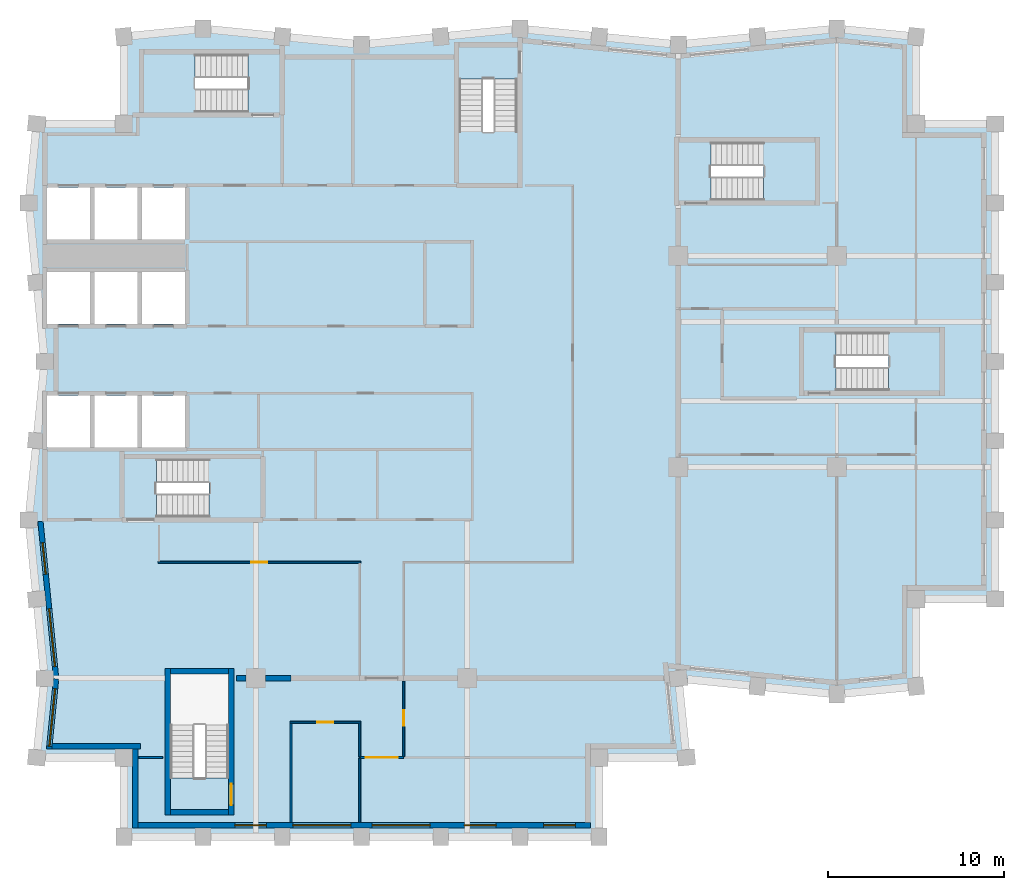
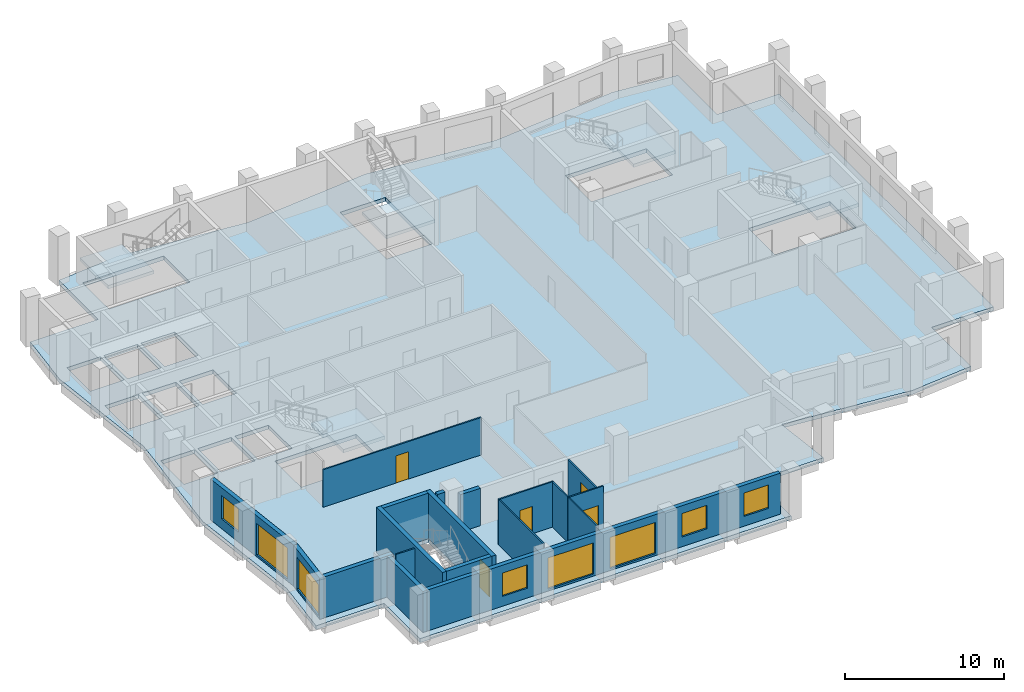
# One storey, part 2 of 7: 19 walls, 8 windows, 6 slabs, 5 doors, 13 openings, 5 elements without a shape of their own.
"""IFC4 building model written with IfcOpenShell, lengths in metres."""

from ifc_helpers import new_model, si_unit, direction, frame, frame_2d, origin, place, context, subcontext, project, spatial, polyline, rectangle, outline, extrude, material, layer, layer_set, type_object, element, fill, aggregate, save


model = new_model("IFC4")

# Units and contexts
model_context = context("Model", 3, precision=1e-05, world=origin(), true_north=direction((0.0, 1.0)))
body_context = subcontext(model_context, "Body", "Model", "MODEL_VIEW")
ifc_project = project(units=[si_unit("LENGTHUNIT", "METRE"), si_unit("AREAUNIT", "SQUARE_METRE"), si_unit("VOLUMEUNIT", "CUBIC_METRE"), si_unit("PLANEANGLEUNIT", "RADIAN"), si_unit("MASSUNIT", "GRAM", prefix="KILO")], contexts=[model_context])

# Site, building, storey
site_placement = place(None, origin())
site = spatial("IfcSite", under=ifc_project, at=site_placement, CompositionType="ELEMENT")
building_placement = place(site_placement, origin())
building = spatial("IfcBuilding", under=site, at=building_placement, Name="Brondeck Convention Tower", CompositionType="ELEMENT")
storey_placement = place(building_placement, frame((0.0, 0.0, 202.60009765625)))
storey = spatial("IfcBuildingStorey", under=building, at=storey_placement, Name="L49", CompositionType="ELEMENT", Elevation=202.60009765625)

# Slab
ifc_material_1 = material(Name="Concrete C35/45", Category="concrete")
ifc_layer_1 = layer(ifc_material_1, 0.300048828125)
ifc_layer_set_1 = layer_set([ifc_layer_1], Name="Composite floor slab 300")
slab_type_1 = type_object("IfcSlabType", Name="Composite floor slab 300", PredefinedType="FLOOR", material=ifc_layer_set_1)
slab_1_placement = place(storey_placement, frame((0.0, 0.0, -0.300048828125)))
element("IfcSlab", 1, at=slab_1_placement, inside=storey, type_object=slab_type_1, Name="STR-SL-L49", PredefinedType="FLOOR", context=body_context, shape_type="SweptSolid", body=[
    extrude(outline(polyline([(4.5, 22.5), (-0.449951171875, 22.5), (0.0, 27.0), (-0.89990234375, 36.0), (0.0, 45.0), (-0.89990234375, 54.0), (-0.449951171875, 58.5), (4.5, 58.5), (4.5, 63.449951171875), (9.0, 63.89990234375), (18.0, 63.0), (27.0, 63.89990234375), (36.0, 63.0), (45.0, 63.89990234375), (49.5, 63.449951171875), (49.5, 58.5), (54.0, 58.5), (54.0, 31.5), (49.5, 31.5), (49.5, 26.550048828125), (45.0, 26.10009765625), (36.0, 27.0), (36.449951171875, 22.5), (31.5, 22.5), (31.5, 18.0), (4.5, 18.0), (4.5, 22.5)]), holes=[polyline([(2.574951171875, 43.074951171875), (0.125, 43.074951171875), (0.125, 40.125), (2.574951171875, 40.125), (2.574951171875, 43.074951171875)]), polyline([(5.27490234375, 40.125), (5.27490234375, 43.074951171875), (2.824951171875, 43.074951171875), (2.824951171875, 40.125), (5.27490234375, 40.125)]), polyline([(7.97509765625, 40.125), (7.97509765625, 43.074951171875), (5.52490234375, 43.074951171875), (5.52490234375, 40.125), (7.97509765625, 40.125)]), polyline([(2.574951171875, 47.125), (2.574951171875, 50.074951171875), (0.125, 50.074951171875), (0.125, 47.125), (2.574951171875, 47.125)]), polyline([(5.27490234375, 47.125), (5.27490234375, 50.074951171875), (2.824951171875, 50.074951171875), (2.824951171875, 47.125), (5.27490234375, 47.125)]), polyline([(7.97509765625, 47.125), (7.97509765625, 50.074951171875), (5.52490234375, 50.074951171875), (5.52490234375, 47.125), (7.97509765625, 47.125)]), polyline([(2.574951171875, 51.925048828125), (2.574951171875, 54.875), (0.125, 54.875), (0.125, 51.925048828125), (2.574951171875, 51.925048828125)]), polyline([(5.27490234375, 51.925048828125), (5.27490234375, 54.875), (2.824951171875, 54.875), (2.824951171875, 51.925048828125), (5.27490234375, 51.925048828125)]), polyline([(10.447998046875, 27.248046875), (7.152099609375, 27.248046875), (7.152099609375, 21.35205078125), (10.447998046875, 21.35205078125), (10.447998046875, 27.248046875)]), polyline([(12.248046875, 36.152099609375), (12.248046875, 39.447998046875), (6.35205078125, 39.447998046875), (6.35205078125, 36.152099609375), (12.248046875, 36.152099609375)]), polyline([(50.847900390625, 43.35205078125), (50.847900390625, 46.64794921875), (44.951904296875, 46.64794921875), (44.951904296875, 43.35205078125), (50.847900390625, 43.35205078125)]), polyline([(7.97509765625, 51.925048828125), (7.97509765625, 54.875), (5.52490234375, 54.875), (5.52490234375, 51.925048828125), (7.97509765625, 51.925048828125)]), polyline([(43.748046875, 54.152099609375), (43.748046875, 57.447998046875), (37.85205078125, 57.447998046875), (37.85205078125, 54.152099609375), (43.748046875, 54.152099609375)]), polyline([(23.552001953125, 55.152099609375), (26.847900390625, 55.152099609375), (26.847900390625, 61.048095703125), (23.552001953125, 61.048095703125), (23.552001953125, 55.152099609375)]), polyline([(5.652099609375, 62.447998046875), (5.652099609375, 59.152099609375), (11.548095703125, 59.152099609375), (11.548095703125, 62.447998046875), (5.652099609375, 62.447998046875)])]), origin(), (0.0, 0.0, 1.0), 0.300048828125),
])

# Stair, slab
ifc_material_2 = material(Name="Precast concrete C50/60", Category="concrete")
stair_type = type_object("IfcStairType", Name="Core stair 22 risers 172.73 mm riser 300 mm going 1350 wide", PredefinedType="HALF_TURN_STAIR", material=ifc_material_2)
stair_1_placement = place(storey_placement, origin())
stair_1 = element("IfcStair", 2, at=stair_1_placement, inside=storey, type_object=stair_type, Name="ST-1 L49 stair", PredefinedType="HALF_TURN_STAIR")
ifc_layer_2 = layer(ifc_material_2, 0.25)
ifc_layer_set_2 = layer_set([ifc_layer_2], Name="Core stair landing 250 Precast concrete C50/60")
slab_type_2 = type_object("IfcSlabType", Name="Core stair landing 250 Precast concrete C50/60", PredefinedType="LANDING", material=ifc_layer_set_2)
slab_2_placement = place(storey_placement, frame((0.0, 0.0, 1.64990234375)))
slab_2 = element("IfcSlab", 3, at=slab_2_placement, type_object=slab_type_2, Name="ST-1 landing 1", PredefinedType="LANDING", context=body_context, shape_type="SweptSolid", body=[
    extrude(outline(polyline([(9.347900390625, 37.5), (9.35009765625, 37.5), (9.35009765625, 38.10009765625), (9.050048828125, 38.10009765625), (9.050048828125, 39.570068359375), (12.3701171875, 39.570068359375), (12.3701171875, 36.030029296875), (9.347900390625, 36.030029296875), (9.347900390625, 37.5)])), origin(), (0.0, 0.0, 1.0), 0.25),
])
aggregate(stair_1, [slab_2])

stair_2_placement = place(storey_placement, origin())
stair_2 = element("IfcStair", 4, at=stair_2_placement, inside=storey, type_object=stair_type, Name="ST-2 L49 stair", PredefinedType="HALF_TURN_STAIR")
slab_3_placement = place(storey_placement, frame((0.0, 0.0, 1.64990234375)))
slab_3 = element("IfcSlab", 5, at=slab_3_placement, type_object=slab_type_2, Name="ST-2 landing 1", PredefinedType="LANDING", context=body_context, shape_type="SweptSolid", body=[
    extrude(outline(polyline([(23.429931640625, 58.052001953125), (24.89990234375, 58.052001953125), (24.89990234375, 58.050048828125), (25.5, 58.050048828125), (25.5, 58.35009765625), (26.969970703125, 58.35009765625), (26.969970703125, 55.030029296875), (23.429931640625, 55.030029296875), (23.429931640625, 58.052001953125)])), origin(), (0.0, 0.0, 1.0), 0.25),
])
aggregate(stair_2, [slab_3])

stair_3_placement = place(storey_placement, origin())
stair_3 = element("IfcStair", 6, at=stair_3_placement, inside=storey, type_object=stair_type, Name="ST-3 L49 stair", PredefinedType="HALF_TURN_STAIR")
slab_4_placement = place(storey_placement, frame((0.0, 0.0, 1.64990234375)))
slab_4 = element("IfcSlab", 7, at=slab_4_placement, type_object=slab_type_2, Name="ST-3 landing 1", PredefinedType="LANDING", context=body_context, shape_type="SweptSolid", body=[
    extrude(outline(polyline([(8.85009765625, 60.5), (8.85009765625, 59.030029296875), (5.530029296875, 59.030029296875), (5.530029296875, 62.570068359375), (8.552001953125, 62.570068359375), (8.552001953125, 61.10009765625), (8.550048828125, 61.10009765625), (8.550048828125, 60.5), (8.85009765625, 60.5)])), origin(), (0.0, 0.0, 1.0), 0.25),
])
aggregate(stair_3, [slab_4])

stair_4_placement = place(storey_placement, origin())
stair_4 = element("IfcStair", 8, at=stair_4_placement, inside=storey, type_object=stair_type, Name="ST-AE L49 stair", PredefinedType="HALF_TURN_STAIR")
slab_5_placement = place(storey_placement, frame((0.0, 0.0, 1.64990234375)))
slab_5 = element("IfcSlab", 9, at=slab_5_placement, type_object=slab_type_2, Name="ST-AE landing 1", PredefinedType="LANDING", context=body_context, shape_type="SweptSolid", body=[
    extrude(outline(polyline([(40.847900390625, 55.5), (40.85009765625, 55.5), (40.85009765625, 56.10009765625), (40.550048828125, 56.10009765625), (40.550048828125, 57.570068359375), (43.8701171875, 57.570068359375), (43.8701171875, 54.030029296875), (40.847900390625, 54.030029296875), (40.847900390625, 55.5)])), origin(), (0.0, 0.0, 1.0), 0.25),
])
aggregate(stair_4, [slab_5])

stair_5_placement = place(storey_placement, origin())
stair_5 = element("IfcStair", 10, at=stair_5_placement, inside=storey, type_object=stair_type, Name="ST-AF L49 stair", PredefinedType="HALF_TURN_STAIR")
slab_6_placement = place(storey_placement, frame((0.0, 0.0, 1.64990234375)))
slab_6 = element("IfcSlab", 11, at=slab_6_placement, type_object=slab_type_2, Name="ST-AF landing 1", PredefinedType="LANDING", context=body_context, shape_type="SweptSolid", body=[
    extrude(outline(polyline([(47.947998046875, 44.699951171875), (47.949951171875, 44.699951171875), (47.949951171875, 45.300048828125), (47.64990234375, 45.300048828125), (47.64990234375, 46.77001953125), (50.969970703125, 46.77001953125), (50.969970703125, 43.22998046875), (47.947998046875, 43.22998046875), (47.947998046875, 44.699951171875)])), origin(), (0.0, 0.0, 1.0), 0.25),
])
aggregate(stair_5, [slab_6])

# Walls
ifc_material_3 = material(Name="Concrete compartment wall C30/37", Category="concrete")
ifc_layer_3 = layer(ifc_material_3, 0.300048828125)
ifc_layer_set_3 = layer_set([ifc_layer_3], Name="Compartment wall 300")
wall_type_1 = type_object("IfcWallType", Name="Compartment wall 300", PredefinedType="PARTITIONING", material=ifc_layer_set_3)
wall_1_placement = place(storey_placement, frame((10.89990234375, 27.0, 0.0), z_axis=(0.0, 0.0, 1.0), x_axis=(1.0, 0.0, 0.0)))
element("IfcWall", 12, at=wall_1_placement, inside=storey, type_object=wall_type_1, Name="FLR-L49-W013", PredefinedType="PARTITIONING", context=body_context, shape_type="SweptSolid", body=[
    extrude(rectangle(XDim=0.545166015625, YDim=0.300048828125, at=frame_2d((0.2724609375, 0.0))), origin(), (0.0, 0.0, 1.0), 3.47998046875),
])
wall_2_placement = place(storey_placement, frame((12.554931640625, 27.0, 0.0), z_axis=(0.0, 0.0, 1.0), x_axis=(1.0, 0.0, 0.0)))
element("IfcWall", 13, at=wall_2_placement, inside=storey, type_object=wall_type_1, Name="FLR-L49-W014", PredefinedType="PARTITIONING", context=body_context, shape_type="SweptSolid", body=[
    extrude(rectangle(XDim=1.445068359375, YDim=0.300048828125, at=frame_2d((0.72265625, 0.0))), origin(), (0.0, 0.0, 1.0), 2.8798828125),
])

# Wall, openings, windows
ifc_material_4 = material(Name="Precast concrete C50/60 bronze finish", Category="concrete")
ifc_layer_4 = layer(ifc_material_4, 0.070068359375, Name="Bronze precast facing")
ifc_material_5 = material(Name="Mineral wool")
ifc_layer_5 = layer(ifc_material_5, 0.159912109375, Name="Insulation")
ifc_layer_6 = layer(ifc_material_1, 0.070068359375, Name="Backing")
ifc_layer_set_4 = layer_set([ifc_layer_4, ifc_layer_5, ifc_layer_6], Name="External infill wall, precast concrete C50/60 bronze facing")
wall_type_2 = type_object("IfcWallType", Name="External infill wall, precast concrete C50/60 bronze facing", PredefinedType="SOLIDWALL", material=ifc_layer_set_4)
wall_3_placement = place(storey_placement, frame((31.0, 18.64990234375, 0.0), z_axis=(0.0, 0.0, 1.0), x_axis=(-1.0, 0.0, 0.0)))
wall_3 = element("IfcWall", 14, at=wall_3_placement, inside=storey, type_object=wall_type_2, Name="ENV-EW-L49-P2-B-S18-01", PredefinedType="SOLIDWALL", context=body_context, shape_type="SweptSolid", body=[
    extrude(rectangle(XDim=25.699951171875, YDim=0.300048828125, at=frame_2d((12.85009765625, 0.0))), origin(), (0.0, 0.0, 1.0), 3.14990234375),
])
opening_1_placement = place(wall_3_placement, frame((0.85009765625, 0.0, 0.75)))
opening_1 = element("IfcOpeningElement", 15, at=opening_1_placement, cuts=wall_3, Name="Opening W10", PredefinedType="OPENING", context=body_context, shape_type="SweptSolid", body=[
    extrude(rectangle(XDim=1.800048828125, YDim=1.800048828125, at=frame_2d((0.89990234375, 0.89990234375))), frame((0.0, 0.159912109375, 0.0), z_axis=(0.0, -1.0, 0.0), x_axis=(1.0, 0.0, 0.0)), (0.0, 0.0, 1.0), 0.320068359375),
])
opening_2_placement = place(wall_3_placement, frame((5.35009765625, 0.0, 0.75)))
opening_2 = element("IfcOpeningElement", 16, at=opening_2_placement, cuts=wall_3, Name="Opening W10", PredefinedType="OPENING", context=body_context, shape_type="SweptSolid", body=[
    extrude(rectangle(XDim=1.800048828125, YDim=1.800048828125, at=frame_2d((0.89990234375, 0.89990234375))), frame((0.0, 0.159912109375, 0.0), z_axis=(0.0, -1.0, 0.0), x_axis=(1.0, 0.0, 0.0)), (0.0, 0.0, 1.0), 0.320068359375),
])
opening_3_placement = place(wall_3_placement, frame((9.10009765625, 0.0, 0.14990234375)))
opening_3 = element("IfcOpeningElement", 17, at=opening_3_placement, cuts=wall_3, Name="Opening W9", PredefinedType="OPENING", context=body_context, shape_type="SweptSolid", body=[
    extrude(rectangle(XDim=3.300048828125, YDim=2.39990234375, at=frame_2d((1.64990234375, 1.199951171875))), frame((0.0, 0.159912109375, 0.0), z_axis=(0.0, -1.0, 0.0), x_axis=(1.0, 0.0, 0.0)), (0.0, 0.0, 1.0), 0.320068359375),
])
opening_4_placement = place(wall_3_placement, frame((13.60009765625, 0.0, 0.14990234375)))
opening_4 = element("IfcOpeningElement", 18, at=opening_4_placement, cuts=wall_3, Name="Opening W9", PredefinedType="OPENING", context=body_context, shape_type="SweptSolid", body=[
    extrude(rectangle(XDim=3.300048828125, YDim=2.39990234375, at=frame_2d((1.64990234375, 1.199951171875))), frame((0.0, 0.159912109375, 0.0), z_axis=(0.0, -1.0, 0.0), x_axis=(1.0, 0.0, 0.0)), (0.0, 0.0, 1.0), 0.320068359375),
])
opening_5_placement = place(wall_3_placement, frame((18.39990234375, 0.0, 0.75)))
opening_5 = element("IfcOpeningElement", 19, at=opening_5_placement, cuts=wall_3, Name="Opening W10", PredefinedType="OPENING", context=body_context, shape_type="SweptSolid", body=[
    extrude(rectangle(XDim=1.800048828125, YDim=1.800048828125, at=frame_2d((0.89990234375, 0.89990234375))), frame((0.0, 0.159912109375, 0.0), z_axis=(0.0, -1.0, 0.0), x_axis=(1.0, 0.0, 0.0)), (0.0, 0.0, 1.0), 0.320068359375),
])
ifc_material_6 = material(Name="Bronze tinted double glazing", Category="glass")
window_type_1 = type_object("IfcWindowType", Name="Glazed flute window, bronze tinted", PartitioningType="SINGLE_PANEL", PredefinedType="WINDOW", material=ifc_material_6)
window_1_placement = place(opening_3_placement, origin())
window_1 = element("IfcWindow", 20, at=window_1_placement, inside=storey, type_object=window_type_1, Name="ENV-WN-L49-P2-B-S18-04", OverallHeight=2.39990234375, OverallWidth=3.300048828125, PartitioningType="SINGLE_PANEL", PredefinedType="WINDOW", context=body_context, shape_type="SweptSolid", body=[
    extrude(rectangle(XDim=3.300048828125, YDim=2.39990234375, at=frame_2d((1.64990234375, 1.199951171875))), frame((0.0, 0.030029296875, 0.0), z_axis=(0.0, -1.0, 0.0), x_axis=(1.0, 0.0, 0.0)), (0.0, 0.0, 1.0), 0.06005859375),
])
fill(opening_3, window_1)
window_2_placement = place(opening_4_placement, origin())
window_2 = element("IfcWindow", 21, at=window_2_placement, inside=storey, type_object=window_type_1, Name="ENV-WN-L49-P2-B-S18-03", OverallHeight=2.39990234375, OverallWidth=3.300048828125, PartitioningType="SINGLE_PANEL", PredefinedType="WINDOW", context=body_context, shape_type="SweptSolid", body=[
    extrude(rectangle(XDim=3.300048828125, YDim=2.39990234375, at=frame_2d((1.64990234375, 1.199951171875))), frame((0.0, 0.030029296875, 0.0), z_axis=(0.0, -1.0, 0.0), x_axis=(1.0, 0.0, 0.0)), (0.0, 0.0, 1.0), 0.06005859375),
])
fill(opening_4, window_2)
window_type_2 = type_object("IfcWindowType", Name="Punched window, bronze tinted", PartitioningType="SINGLE_PANEL", PredefinedType="WINDOW", material=ifc_material_6)
window_3_placement = place(opening_1_placement, origin())
window_3 = element("IfcWindow", 22, at=window_3_placement, inside=storey, type_object=window_type_2, Name="ENV-WN-L49-P2-B-S18-06", OverallHeight=1.800048828125, OverallWidth=1.800048828125, PartitioningType="SINGLE_PANEL", PredefinedType="WINDOW", context=body_context, shape_type="SweptSolid", body=[
    extrude(rectangle(XDim=1.800048828125, YDim=1.800048828125, at=frame_2d((0.89990234375, 0.89990234375))), frame((0.0, 0.030029296875, 0.0), z_axis=(0.0, -1.0, 0.0), x_axis=(1.0, 0.0, 0.0)), (0.0, 0.0, 1.0), 0.06005859375),
])
fill(opening_1, window_3)
window_4_placement = place(opening_2_placement, origin())
window_4 = element("IfcWindow", 23, at=window_4_placement, inside=storey, type_object=window_type_2, Name="ENV-WN-L49-P2-B-S18-05", OverallHeight=1.800048828125, OverallWidth=1.800048828125, PartitioningType="SINGLE_PANEL", PredefinedType="WINDOW", context=body_context, shape_type="SweptSolid", body=[
    extrude(rectangle(XDim=1.800048828125, YDim=1.800048828125, at=frame_2d((0.89990234375, 0.89990234375))), frame((0.0, 0.030029296875, 0.0), z_axis=(0.0, -1.0, 0.0), x_axis=(1.0, 0.0, 0.0)), (0.0, 0.0, 1.0), 0.06005859375),
])
fill(opening_2, window_4)
window_5_placement = place(opening_5_placement, origin())
window_5 = element("IfcWindow", 24, at=window_5_placement, inside=storey, type_object=window_type_2, Name="ENV-WN-L49-P2-B-S18-02", OverallHeight=1.800048828125, OverallWidth=1.800048828125, PartitioningType="SINGLE_PANEL", PredefinedType="WINDOW", context=body_context, shape_type="SweptSolid", body=[
    extrude(rectangle(XDim=1.800048828125, YDim=1.800048828125, at=frame_2d((0.89990234375, 0.89990234375))), frame((0.0, 0.030029296875, 0.0), z_axis=(0.0, -1.0, 0.0), x_axis=(1.0, 0.0, 0.0)), (0.0, 0.0, 1.0), 0.06005859375),
])
fill(opening_5, window_5)

wall_4_placement = place(storey_placement, frame((0.65478515625, 26.985107421875, 0.0), z_axis=(0.0, 0.0, 1.0), x_axis=(-0.099509105781, 0.995036651519, 0.0)))
wall_4 = element("IfcWall", 25, at=wall_4_placement, inside=storey, type_object=wall_type_2, Name="ENV-EW-L49-P2-B-W-06", PredefinedType="SOLIDWALL", context=body_context, shape_type="SweptSolid", body=[
    extrude(rectangle(XDim=8.974609375, YDim=0.300048828125, at=frame_2d((4.4873046875, 0.0))), origin(), (0.0, 0.0, 1.0), 3.14990234375),
])
opening_6_placement = place(wall_4_placement, frame((0.691162109375, 0.0, 0.14990234375)))
opening_6 = element("IfcOpeningElement", 26, at=opening_6_placement, cuts=wall_4, Name="Opening W9", PredefinedType="OPENING", context=body_context, shape_type="SweptSolid", body=[
    extrude(rectangle(XDim=3.300048828125, YDim=2.39990234375, at=frame_2d((1.64990234375, 1.199951171875))), frame((0.0, 0.159912109375, 0.0), z_axis=(0.0, -1.0, 0.0), x_axis=(1.0, 0.0, 0.0)), (0.0, 0.0, 1.0), 0.320068359375),
])
opening_7_placement = place(wall_4_placement, frame((5.963623046875, 0.0, 0.75)))
opening_7 = element("IfcOpeningElement", 27, at=opening_7_placement, cuts=wall_4, Name="Opening W10", PredefinedType="OPENING", context=body_context, shape_type="SweptSolid", body=[
    extrude(rectangle(XDim=1.800048828125, YDim=1.800048828125, at=frame_2d((0.89990234375, 0.89990234375))), frame((0.0, 0.159912109375, 0.0), z_axis=(0.0, -1.0, 0.0), x_axis=(1.0, 0.0, 0.0)), (0.0, 0.0, 1.0), 0.320068359375),
])
window_6_placement = place(opening_6_placement, origin())
window_6 = element("IfcWindow", 28, at=window_6_placement, inside=storey, type_object=window_type_1, Name="ENV-WN-L49-P2-B-W-07", OverallHeight=2.39990234375, OverallWidth=3.300048828125, PartitioningType="SINGLE_PANEL", PredefinedType="WINDOW", context=body_context, shape_type="SweptSolid", body=[
    extrude(rectangle(XDim=3.300048828125, YDim=2.39990234375, at=frame_2d((1.64990234375, 1.199951171875))), frame((0.0, 0.030029296875, 0.0), z_axis=(0.0, -1.0, 0.0), x_axis=(1.0, 0.0, 0.0)), (0.0, 0.0, 1.0), 0.06005859375),
])
fill(opening_6, window_6)
window_7_placement = place(opening_7_placement, origin())
window_7 = element("IfcWindow", 29, at=window_7_placement, inside=storey, type_object=window_type_2, Name="ENV-WN-L49-P2-B-W-06", OverallHeight=1.800048828125, OverallWidth=1.800048828125, PartitioningType="SINGLE_PANEL", PredefinedType="WINDOW", context=body_context, shape_type="SweptSolid", body=[
    extrude(rectangle(XDim=1.800048828125, YDim=1.800048828125, at=frame_2d((0.89990234375, 0.89990234375))), frame((0.0, 0.030029296875, 0.0), z_axis=(0.0, -1.0, 0.0), x_axis=(1.0, 0.0, 0.0)), (0.0, 0.0, 1.0), 0.06005859375),
])
fill(opening_7, window_7)

# Wall, opening, window
wall_5_placement = place(storey_placement, frame((0.251708984375, 22.985107421875, 0.0), z_axis=(0.0, 0.0, 1.0), x_axis=(0.09954596771, 0.995032964435, 0.0)))
wall_5 = element("IfcWall", 30, at=wall_5_placement, inside=storey, type_object=wall_type_2, Name="ENV-EW-L49-P2-B-W-08", PredefinedType="SOLIDWALL", context=body_context, shape_type="SweptSolid", body=[
    extrude(rectangle(XDim=4.0048828125, YDim=0.300048828125, at=frame_2d((2.00244140625, 0.0))), origin(), (0.0, 0.0, 1.0), 3.14990234375),
])
opening_8_placement = place(wall_5_placement, frame((0.14990234375, 0.0, 0.14990234375)))
opening_8 = element("IfcOpeningElement", 31, at=opening_8_placement, cuts=wall_5, Name="Opening W9", PredefinedType="OPENING", context=body_context, shape_type="SweptSolid", body=[
    extrude(rectangle(XDim=3.300048828125, YDim=2.39990234375, at=frame_2d((1.64990234375, 1.199951171875))), frame((0.0, 0.159912109375, 0.0), z_axis=(0.0, -1.0, 0.0), x_axis=(1.0, 0.0, 0.0)), (0.0, 0.0, 1.0), 0.320068359375),
])
window_8_placement = place(opening_8_placement, origin())
window_8 = element("IfcWindow", 32, at=window_8_placement, inside=storey, type_object=window_type_1, Name="ENV-WN-L49-P2-B-W-08", OverallHeight=2.39990234375, OverallWidth=3.300048828125, PartitioningType="SINGLE_PANEL", PredefinedType="WINDOW", context=body_context, shape_type="SweptSolid", body=[
    extrude(rectangle(XDim=3.300048828125, YDim=2.39990234375, at=frame_2d((1.64990234375, 1.199951171875))), frame((0.0, 0.030029296875, 0.0), z_axis=(0.0, -1.0, 0.0), x_axis=(1.0, 0.0, 0.0)), (0.0, 0.0, 1.0), 0.06005859375),
])
fill(opening_8, window_8)

# Walls
wall_6_placement = place(storey_placement, frame((5.449951171875, 23.14990234375, 0.0), z_axis=(0.0, 0.0, 1.0), x_axis=(-1.0, 0.0, 0.0)))
element("IfcWall", 33, at=wall_6_placement, inside=storey, type_object=wall_type_2, Name="ENV-EW-L49-P2-NC-SWB18-01", PredefinedType="SOLIDWALL", context=body_context, shape_type="SweptSolid", body=[
    extrude(rectangle(XDim=5.025634765625, YDim=0.300048828125, at=frame_2d((2.5126953125, 0.0))), origin(), (0.0, 0.0, 1.0), 3.14990234375),
])
wall_7_placement = place(storey_placement, frame((5.14990234375, 18.5, 0.0), z_axis=(0.0, 0.0, 1.0), x_axis=(0.0, 1.0, 0.0)))
element("IfcWall", 34, at=wall_7_placement, inside=storey, type_object=wall_type_2, Name="ENV-EW-L49-P2-NC-SWB18-02", PredefinedType="SOLIDWALL", context=body_context, shape_type="SweptSolid", body=[
    extrude(rectangle(XDim=4.5, YDim=0.300048828125, at=frame_2d((2.25, 0.0))), origin(), (0.0, 0.0, 1.0), 3.14990234375),
])
ifc_material_7 = material(Name="Gypsum board partition on steel studs", Category="steel")
ifc_layer_7 = layer(ifc_material_7, 0.10009765625)
ifc_layer_set_5 = layer_set([ifc_layer_7], Name="Room partition 100")
wall_type_3 = type_object("IfcWallType", Name="Room partition 100", PredefinedType="PARTITIONING", material=ifc_layer_set_5)
wall_8_placement = place(storey_placement, frame((17.89990234375, 22.449951171875, 0.0), z_axis=(0.0, 0.0, 1.0), x_axis=(0.0, -1.0, 0.0)))
element("IfcWall", 35, at=wall_8_placement, inside=storey, type_object=wall_type_3, Name="FLR-L49-W001", PredefinedType="PARTITIONING", context=body_context, shape_type="SweptSolid", body=[
    extrude(rectangle(XDim=3.6298828125, YDim=0.10009765625, at=frame_2d((1.81494140625, 0.0))), origin(), (0.0, 0.0, 1.0), 3.47998046875),
])
wall_9_placement = place(storey_placement, frame((5.35009765625, 22.5, 0.0), z_axis=(0.0, 0.0, 1.0), x_axis=(1.0, 0.0, 0.0)))
element("IfcWall", 36, at=wall_9_placement, inside=storey, type_object=wall_type_3, Name="FLR-L49-W002", PredefinedType="PARTITIONING", context=body_context, shape_type="SweptSolid", body=[
    extrude(rectangle(XDim=1.349853515625, YDim=0.10009765625, at=frame_2d((0.6748046875, 0.0))), origin(), (0.0, 0.0, 1.0), 3.47998046875),
])

# Wall, opening, door
wall_10_placement = place(storey_placement, frame((20.39990234375, 22.5, 0.0), z_axis=(0.0, 0.0, 1.0), x_axis=(-1.0, 0.0, 0.0)))
wall_10 = element("IfcWall", 37, at=wall_10_placement, inside=storey, type_object=wall_type_3, Name="FLR-L49-W003", PredefinedType="PARTITIONING", context=body_context, shape_type="SweptSolid", body=[
    extrude(rectangle(XDim=2.449951171875, YDim=0.10009765625, at=frame_2d((1.22509765625, 0.0))), origin(), (0.0, 0.0, 1.0), 3.47998046875),
])
opening_9_placement = place(wall_10_placement, frame((0.35009765625, 0.0, 0.0)))
opening_9 = element("IfcOpeningElement", 38, at=opening_9_placement, cuts=wall_10, Name="Opening OF-K2-007", PredefinedType="OPENING", context=body_context, shape_type="SweptSolid", body=[
    extrude(rectangle(XDim=1.800048828125, YDim=2.10009765625, at=frame_2d((0.89990234375, 1.050048828125))), frame((0.0, 0.06005859375, 0.0), z_axis=(0.0, -1.0, 0.0), x_axis=(1.0, 0.0, 0.0)), (0.0, 0.0, 1.0), 0.1201171875),
])
ifc_material_8 = material(Name="Glazed timber double door", Category="wood")
door_type_1 = type_object("IfcDoorType", Name="Double door 1800", OperationType="DOUBLE_DOOR_SINGLE_SWING", PredefinedType="DOOR", material=ifc_material_8)
door_1_placement = place(opening_9_placement, origin())
door_1 = element("IfcDoor", 39, at=door_1_placement, inside=storey, type_object=door_type_1, Name="Door OF-K2-007", OperationType="DOUBLE_DOOR_SINGLE_SWING", OverallHeight=2.10009765625, OverallWidth=1.800048828125, PredefinedType="DOOR", context=body_context, shape_type="SweptSolid", body=[
    extrude(rectangle(XDim=1.800048828125, YDim=2.10009765625, at=frame_2d((0.89990234375, 1.050048828125))), frame((0.0, 0.02490234375, 0.0), z_axis=(0.0, -1.0, 0.0), x_axis=(1.0, 0.0, 0.0)), (0.0, 0.0, 1.0), 0.050048828125),
])
fill(opening_9, door_1)

# Walls
wall_11_placement = place(storey_placement, frame((17.89990234375, 22.550048828125, 0.0), z_axis=(0.0, 0.0, 1.0), x_axis=(0.0, 1.0, 0.0)))
element("IfcWall", 40, at=wall_11_placement, inside=storey, type_object=wall_type_3, Name="FLR-L49-W006", PredefinedType="PARTITIONING", context=body_context, shape_type="SweptSolid", body=[
    extrude(rectangle(XDim=1.89990234375, YDim=0.10009765625, at=frame_2d((0.949951171875, 0.0))), origin(), (0.0, 0.0, 1.0), 3.47998046875),
])
wall_12_placement = place(storey_placement, frame((14.0, 24.449951171875, 0.0), z_axis=(0.0, 0.0, 1.0), x_axis=(0.0, -1.0, 0.0)))
element("IfcWall", 41, at=wall_12_placement, inside=storey, type_object=wall_type_3, Name="FLR-L49-W009", PredefinedType="PARTITIONING", context=body_context, shape_type="SweptSolid", body=[
    extrude(rectangle(XDim=5.6298828125, YDim=0.10009765625, at=frame_2d((2.81494140625, 0.0))), origin(), (0.0, 0.0, 1.0), 3.47998046875),
])

# Wall, opening, door
wall_13_placement = place(storey_placement, frame((17.949951171875, 24.5, 0.0), z_axis=(0.0, 0.0, 1.0), x_axis=(-1.0, 0.0, 0.0)))
wall_13 = element("IfcWall", 42, at=wall_13_placement, inside=storey, type_object=wall_type_3, Name="FLR-L49-W010", PredefinedType="PARTITIONING", context=body_context, shape_type="SweptSolid", body=[
    extrude(rectangle(XDim=4.0, YDim=0.10009765625, at=frame_2d((2.0, 0.0))), origin(), (0.0, 0.0, 1.0), 3.47998046875),
])
opening_10_placement = place(wall_13_placement, frame((1.550048828125, 0.0, 0.0)))
opening_10 = element("IfcOpeningElement", 43, at=opening_10_placement, cuts=wall_13, Name="Opening OF-K2-002", PredefinedType="OPENING", context=body_context, shape_type="SweptSolid", body=[
    extrude(rectangle(XDim=0.89990234375, YDim=2.10009765625, at=frame_2d((0.449951171875, 1.050048828125))), frame((0.0, 0.06005859375, 0.0), z_axis=(0.0, -1.0, 0.0), x_axis=(1.0, 0.0, 0.0)), (0.0, 0.0, 1.0), 0.1201171875),
])
ifc_material_9 = material(Name="Solid timber door leaf", Category="wood")
door_type_2 = type_object("IfcDoorType", Name="Single door 900", OperationType="NOTDEFINED", PredefinedType="DOOR", material=ifc_material_9)
door_2_placement = place(opening_10_placement, origin())
door_2 = element("IfcDoor", 44, at=door_2_placement, inside=storey, type_object=door_type_2, Name="Door OF-K2-002", OperationType="SINGLE_SWING_RIGHT", OverallHeight=2.10009765625, OverallWidth=0.89990234375, PredefinedType="DOOR", context=body_context, shape_type="SweptSolid", body=[
    extrude(rectangle(XDim=0.89990234375, YDim=2.10009765625, at=frame_2d((0.449951171875, 1.050048828125))), frame((0.0, 0.02490234375, 0.0), z_axis=(0.0, -1.0, 0.0), x_axis=(1.0, 0.0, 0.0)), (0.0, 0.0, 1.0), 0.050048828125),
])
fill(opening_10, door_2)

wall_14_placement = place(storey_placement, frame((20.39990234375, 26.830078125, 0.0), z_axis=(0.0, 0.0, 1.0), x_axis=(0.0, -1.0, 0.0)))
wall_14 = element("IfcWall", 45, at=wall_14_placement, inside=storey, type_object=wall_type_3, Name="FLR-L49-W011", PredefinedType="PARTITIONING", context=body_context, shape_type="SweptSolid", body=[
    extrude(rectangle(XDim=4.280029296875, YDim=0.10009765625, at=frame_2d((2.14013671875, 0.0))), origin(), (0.0, 0.0, 1.0), 2.8798828125),
])
opening_11_placement = place(wall_14_placement, frame((1.6298828125, 0.0, 0.0)))
opening_11 = element("IfcOpeningElement", 46, at=opening_11_placement, cuts=wall_14, Name="Opening OF-K2-008", PredefinedType="OPENING", context=body_context, shape_type="SweptSolid", body=[
    extrude(rectangle(XDim=0.89990234375, YDim=2.10009765625, at=frame_2d((0.449951171875, 1.050048828125))), frame((0.0, 0.06005859375, 0.0), z_axis=(0.0, -1.0, 0.0), x_axis=(1.0, 0.0, 0.0)), (0.0, 0.0, 1.0), 0.1201171875),
])
door_3_placement = place(opening_11_placement, origin())
door_3 = element("IfcDoor", 47, at=door_3_placement, inside=storey, type_object=door_type_2, Name="Door OF-K2-008", OperationType="SINGLE_SWING_LEFT", OverallHeight=2.10009765625, OverallWidth=0.89990234375, PredefinedType="DOOR", context=body_context, shape_type="SweptSolid", body=[
    extrude(rectangle(XDim=0.89990234375, YDim=2.10009765625, at=frame_2d((0.449951171875, 1.050048828125))), frame((0.0, 0.02490234375, 0.0), z_axis=(0.0, -1.0, 0.0), x_axis=(1.0, 0.0, 0.0)), (0.0, 0.0, 1.0), 0.050048828125),
])
fill(opening_11, door_3)

wall_15_placement = place(storey_placement, frame((17.949951171875, 33.60009765625, 0.0), z_axis=(0.0, 0.0, 1.0), x_axis=(-1.0, 0.0, 0.0)))
wall_15 = element("IfcWall", 48, at=wall_15_placement, inside=storey, type_object=wall_type_3, Name="FLR-L49-W025", PredefinedType="PARTITIONING", context=body_context, shape_type="SweptSolid", body=[
    extrude(rectangle(XDim=11.5, YDim=0.10009765625, at=frame_2d((5.75, 0.0))), origin(), (0.0, 0.0, 1.0), 2.8798828125),
])
opening_12_placement = place(wall_15_placement, frame((5.300048828125, 0.0, 0.0)))
opening_12 = element("IfcOpeningElement", 49, at=opening_12_placement, cuts=wall_15, Name="Opening OF-K2-009", PredefinedType="OPENING", context=body_context, shape_type="SweptSolid", body=[
    extrude(rectangle(XDim=0.89990234375, YDim=2.10009765625, at=frame_2d((0.449951171875, 1.050048828125))), frame((0.0, 0.06005859375, 0.0), z_axis=(0.0, -1.0, 0.0), x_axis=(1.0, 0.0, 0.0)), (0.0, 0.0, 1.0), 0.1201171875),
])
door_4_placement = place(opening_12_placement, origin())
door_4 = element("IfcDoor", 50, at=door_4_placement, inside=storey, type_object=door_type_2, Name="Door OF-K2-009", OperationType="SINGLE_SWING_LEFT", OverallHeight=2.10009765625, OverallWidth=0.89990234375, PredefinedType="DOOR", context=body_context, shape_type="SweptSolid", body=[
    extrude(rectangle(XDim=0.89990234375, YDim=2.10009765625, at=frame_2d((0.449951171875, 1.050048828125))), frame((0.0, 0.02490234375, 0.0), z_axis=(0.0, -1.0, 0.0), x_axis=(1.0, 0.0, 0.0)), (0.0, 0.0, 1.0), 0.050048828125),
])
fill(opening_12, door_4)

# Walls
ifc_material_10 = material(Name="Concrete C50/60", Category="concrete")
ifc_layer_8 = layer(ifc_material_10, 0.300048828125)
ifc_layer_set_6 = layer_set([ifc_layer_8], Name="Stair enclosure wall 300 Concrete C50/60")
wall_type_4 = type_object("IfcWallType", Name="Stair enclosure wall 300 Concrete C50/60", PredefinedType="SHEAR", material=ifc_layer_set_6)
for number, where, z_axis, x_axis, name in (
    (51, (7.14990234375, 19.39990234375, 0.0), (0.0, 0.0, 1.0), (1.0, 0.0, 0.0), "L49 core wall"),
    (52, (7.14990234375, 27.39990234375, 0.0), (0.0, 0.0, 1.0), (1.0, 0.0, 0.0), "L49 core wall"),
):
    element("IfcWall", number, at=place(storey_placement, frame(where, z_axis=z_axis, x_axis=x_axis)), inside=storey, type_object=wall_type_4, Name=name, PredefinedType="SHEAR", context=body_context, shape_type="SweptSolid", body=[
        extrude(rectangle(XDim=3.300048828125, YDim=0.300048828125, at=frame_2d((1.64990234375, 0.0))), origin(), (0.0, 0.0, 1.0), 3.5),
    ])
wall_16_placement = place(storey_placement, frame((7.0, 19.25, 0.0), z_axis=(0.0, 0.0, 1.0), x_axis=(0.0, 1.0, 0.0)))
element("IfcWall", 53, at=wall_16_placement, inside=storey, type_object=wall_type_4, Name="L49 core wall", PredefinedType="SHEAR", context=body_context, shape_type="SweptSolid", body=[
    extrude(rectangle(XDim=8.300048828125, YDim=0.300048828125, at=frame_2d((4.14990234375, 0.0))), origin(), (0.0, 0.0, 1.0), 3.5),
])

# Wall, opening, door
wall_17_placement = place(storey_placement, frame((10.60009765625, 19.25, 0.0), z_axis=(0.0, 0.0, 1.0), x_axis=(0.0, 1.0, 0.0)))
wall_17 = element("IfcWall", 54, at=wall_17_placement, inside=storey, type_object=wall_type_4, Name="L49 core wall", PredefinedType="SHEAR", context=body_context, shape_type="SweptSolid", body=[
    extrude(rectangle(XDim=8.300048828125, YDim=0.300048828125, at=frame_2d((4.14990234375, 0.0))), origin(), (0.0, 0.0, 1.0), 3.5),
])
opening_13_placement = place(wall_17_placement, frame((0.550048828125, 0.0, 0.0)))
opening_13 = element("IfcOpeningElement", 55, at=opening_13_placement, cuts=wall_17, Name="Opening C28-18", PredefinedType="OPENING", context=body_context, shape_type="SweptSolid", body=[
    extrude(rectangle(XDim=1.199951171875, YDim=2.199951171875, at=frame_2d((0.60009765625, 1.10009765625))), frame((0.0, 0.159912109375, 0.0), z_axis=(0.0, -1.0, 0.0), x_axis=(1.0, 0.0, 0.0)), (0.0, 0.0, 1.0), 0.320068359375),
])
ifc_material_11 = material(Name="Steel fire door", Category="steel")
door_type_3 = type_object("IfcDoorType", Name="Stair door 1200x2200 EI 90", OperationType="NOTDEFINED", PredefinedType="DOOR", material=ifc_material_11)
door_5_placement = place(opening_13_placement, origin())
door_5 = element("IfcDoor", 56, at=door_5_placement, inside=storey, type_object=door_type_3, Name="L49 Stair door ST-BE", OperationType="SINGLE_SWING_RIGHT", OverallHeight=2.199951171875, OverallWidth=1.199951171875, PredefinedType="DOOR", context=body_context, shape_type="SweptSolid", body=[
    extrude(rectangle(XDim=1.199951171875, YDim=2.199951171875, at=frame_2d((0.60009765625, 1.10009765625))), frame((0.0, 0.02490234375, 0.0), z_axis=(0.0, -1.0, 0.0), x_axis=(1.0, 0.0, 0.0)), (0.0, 0.0, 1.0), 0.050048828125),
])
fill(opening_13, door_5)

save(model, "model.ifc")
